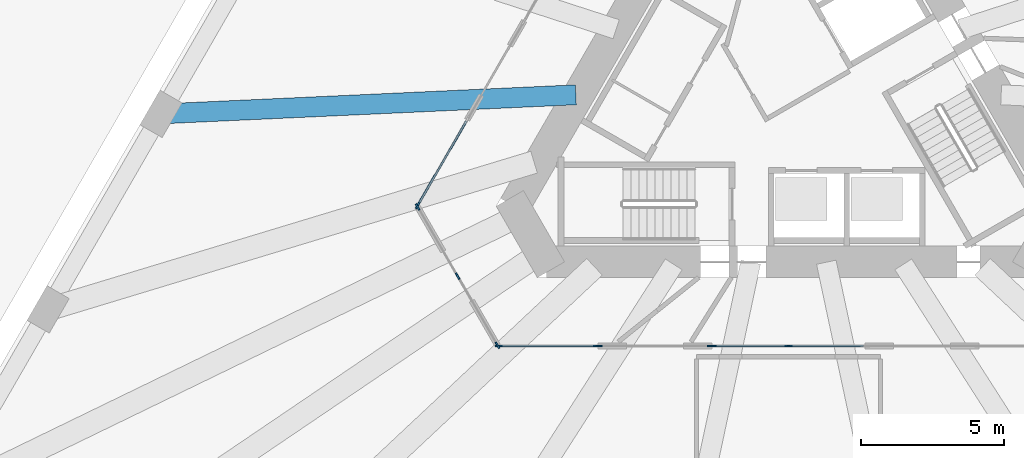
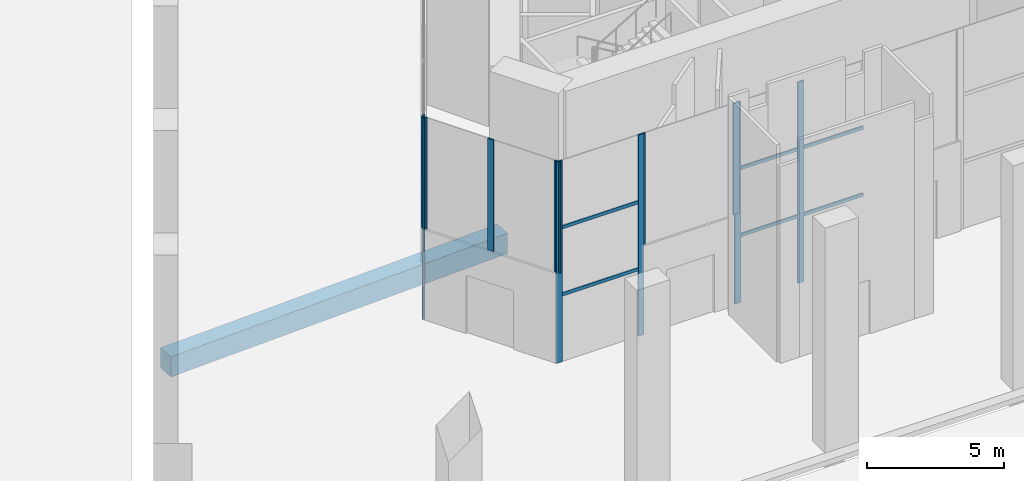
# One storey, part 2 of 13: 18 members, 1 beam, 5 elements without a shape of their own.
"""IFC4 building model written with IfcOpenShell, lengths in metres."""

from ifc_helpers import new_model, si_unit, direction, frame, origin, origin_2d, place, context, subcontext, project, spatial, rectangle, extrude, material, layer, layer_set, material_profile, profile_set, type_object, element, aggregate, save


model = new_model("IFC4")

# Units and contexts
model_context = context("Model", 3, precision=1e-05, world=origin(), true_north=direction((0.0, 1.0)))
body_context = subcontext(model_context, "Body", "Model", "MODEL_VIEW")
ifc_project = project(units=[si_unit("LENGTHUNIT", "METRE"), si_unit("AREAUNIT", "SQUARE_METRE"), si_unit("VOLUMEUNIT", "CUBIC_METRE"), si_unit("PLANEANGLEUNIT", "RADIAN"), si_unit("MASSUNIT", "GRAM", prefix="KILO")], contexts=[model_context])

# Site, building, storey
site_placement = place(None, origin())
site = spatial("IfcSite", under=ifc_project, at=site_placement, CompositionType="ELEMENT")
building_placement = place(site_placement, origin())
building = spatial("IfcBuilding", under=site, at=building_placement, Name="Tramontana Tower", CompositionType="ELEMENT")
storey_placement = place(building_placement, origin())
storey = spatial("IfcBuildingStorey", under=building, at=storey_placement, Name="L00", CompositionType="ELEMENT", Elevation=0.0)

# Curtain wall, members
ifc_material_1 = material(Name="Aluminum extrusion", Category="aluminium")
ifc_layer = layer(ifc_material_1, 0.14990234375)
ifc_layer_set = layer_set([ifc_layer], Name="CW1 Entrance pavilion curtain wall")
curtain_wall_type = type_object("IfcCurtainWallType", Name="CW1 Entrance pavilion curtain wall", PredefinedType="NOTDEFINED", material=ifc_layer_set)
curtain_wall_1_placement = place(storey_placement, origin())
curtain_wall_1 = element("IfcCurtainWall", 1, at=curtain_wall_1_placement, inside=storey, type_object=curtain_wall_type, Name="CW1 curtain wall L00 edge 2 run 2", PredefinedType="NOTDEFINED")
ifc_material_2 = material(Name="Aluminum extrusion", Category="aluminium")
ifc_material_profile_1 = material_profile(ifc_material_2, rectangle(XDim=0.06005859375, YDim=0.25, at=origin_2d()), Name="CW1-M Mullion 60 x 250")
ifc_profile_set_1 = profile_set([ifc_material_profile_1], Name="Aluminum extrusion")
member_type_1 = type_object("IfcMemberType", Name="CW1-M Mullion 60 x 250", PredefinedType="MULLION", material=ifc_profile_set_1)
member_1_placement = place(storey_placement, frame((0.0, -9.14990234375, 0.0), z_axis=(0.0, 0.0, 1.0), x_axis=(0.0, -1.0, 0.0)))
member_1 = element("IfcMember", 2, at=member_1_placement, type_object=member_type_1, Name="CW1 curtain wall L00 edge 2 run 2 mullion 2", PredefinedType="MULLION", context=body_context, shape_type="SweptSolid", body=[
    extrude(rectangle(XDim=0.06005859375, YDim=0.25, at=origin_2d()), origin(), (0.0, 0.0, 1.0), 8.949951171875),
])
member_2_placement = place(storey_placement, frame((-2.657470703125, -9.14990234375, 0.0), z_axis=(0.0, 0.0, 1.0), x_axis=(0.0, -1.0, 0.0)))
member_2 = element("IfcMember", 3, at=member_2_placement, type_object=member_type_1, Name="CW1 curtain wall L00 edge 2 run 2 mullion 3", PredefinedType="MULLION", context=body_context, shape_type="SweptSolid", body=[
    extrude(rectangle(XDim=0.06005859375, YDim=0.25, at=origin_2d()), origin(), (0.0, 0.0, 1.0), 8.949951171875),
])

curtain_wall_2_placement = place(storey_placement, origin())
curtain_wall_2 = element("IfcCurtainWall", 4, at=curtain_wall_2_placement, inside=storey, type_object=curtain_wall_type, Name="CW1 curtain wall L00 edge 2 run 3", PredefinedType="NOTDEFINED")
member_3_placement = place(storey_placement, frame((-6.717529296875, -9.14990234375, 0.0), z_axis=(0.0, 0.0, 1.0), x_axis=(0.0, -1.0, 0.0)))
member_3 = element("IfcMember", 5, at=member_3_placement, type_object=member_type_1, Name="CW1 curtain wall L00 edge 2 run 3 mullion 1", PredefinedType="MULLION", context=body_context, shape_type="SweptSolid", body=[
    extrude(rectangle(XDim=0.06005859375, YDim=0.25, at=origin_2d()), origin(), (0.0, 0.0, 1.0), 8.949951171875),
])
member_4_placement = place(storey_placement, frame((-10.16015625, -9.14990234375, 0.0), z_axis=(0.0, 0.0, 1.0), x_axis=(0.0, -1.0, 0.0)))
member_4 = element("IfcMember", 6, at=member_4_placement, type_object=member_type_1, Name="CW1 curtain wall L00 edge 2 run 3 mullion 2", PredefinedType="MULLION", context=body_context, shape_type="SweptSolid", body=[
    extrude(rectangle(XDim=0.06005859375, YDim=0.25, at=origin_2d()), origin(), (0.0, 0.0, 1.0), 8.949951171875),
])

curtain_wall_3_placement = place(storey_placement, origin())
curtain_wall_3 = element("IfcCurtainWall", 7, at=curtain_wall_3_placement, inside=storey, type_object=curtain_wall_type, Name="CW1 curtain wall L00 edge 2 over entrance 2", PredefinedType="NOTDEFINED")
member_5_placement = place(storey_placement, frame((-2.717529296875, -9.14990234375, 4.0), z_axis=(0.0, 0.0, 1.0), x_axis=(0.0, -1.0, 0.0)))
member_5 = element("IfcMember", 8, at=member_5_placement, type_object=member_type_1, Name="CW1 curtain wall L00 edge 2 over entrance 2 mullion 1", PredefinedType="MULLION", context=body_context, shape_type="SweptSolid", body=[
    extrude(rectangle(XDim=0.06005859375, YDim=0.25, at=origin_2d()), origin(), (0.0, 0.0, 1.0), 4.949951171875),
])
member_6_placement = place(storey_placement, frame((-6.657470703125, -9.14990234375, 4.0), z_axis=(0.0, 0.0, 1.0), x_axis=(0.0, -1.0, 0.0)))
member_6 = element("IfcMember", 9, at=member_6_placement, type_object=member_type_1, Name="CW1 curtain wall L00 edge 2 over entrance 2 mullion 2", PredefinedType="MULLION", context=body_context, shape_type="SweptSolid", body=[
    extrude(rectangle(XDim=0.06005859375, YDim=0.25, at=origin_2d()), origin(), (0.0, 0.0, 1.0), 4.949951171875),
])
aggregate(curtain_wall_3, [member_5, member_6])

curtain_wall_4_placement = place(storey_placement, origin())
curtain_wall_4 = element("IfcCurtainWall", 10, at=curtain_wall_4_placement, inside=storey, type_object=curtain_wall_type, Name="CW1 curtain wall L00 stair exit 2 over door", PredefinedType="NOTDEFINED")
member_7_placement = place(storey_placement, frame((-10.205322265625, -9.1240234375, 4.0), z_axis=(0.0, 0.0, 1.0), x_axis=(-0.866025403784, -0.5, 0.0)))
member_7 = element("IfcMember", 11, at=member_7_placement, type_object=member_type_1, Name="CW1 curtain wall L00 stair exit 2 over door mullion 1", PredefinedType="MULLION", context=body_context, shape_type="SweptSolid", body=[
    extrude(rectangle(XDim=0.06005859375, YDim=0.25, at=origin_2d()), origin(), (0.0, 0.0, 1.0), 4.949951171875),
])
member_8_placement = place(storey_placement, frame((-11.604736328125, -6.699951171875, 4.0), z_axis=(0.0, 0.0, 1.0), x_axis=(-0.866025403784, -0.5, 0.0)))
member_8 = element("IfcMember", 12, at=member_8_placement, type_object=member_type_1, Name="CW1 curtain wall L00 stair exit 2 over door mullion 2", PredefinedType="MULLION", context=body_context, shape_type="SweptSolid", body=[
    extrude(rectangle(XDim=0.06005859375, YDim=0.25, at=origin_2d()), origin(), (0.0, 0.0, 1.0), 4.949951171875),
])
member_9_placement = place(storey_placement, frame((-13.004150390625, -4.27587890625, 4.0), z_axis=(0.0, 0.0, 1.0), x_axis=(-0.866025403784, -0.5, 0.0)))
member_9 = element("IfcMember", 13, at=member_9_placement, type_object=member_type_1, Name="CW1 curtain wall L00 stair exit 2 over door mullion 3", PredefinedType="MULLION", context=body_context, shape_type="SweptSolid", body=[
    extrude(rectangle(XDim=0.06005859375, YDim=0.25, at=origin_2d()), origin(), (0.0, 0.0, 1.0), 4.949951171875),
])
aggregate(curtain_wall_4, [member_7, member_8, member_9])

# Curtain wall, member
curtain_wall_5_placement = place(storey_placement, origin())
curtain_wall_5 = element("IfcCurtainWall", 14, at=curtain_wall_5_placement, inside=storey, type_object=curtain_wall_type, Name="CW1 curtain wall L00 edge 3 run 1", PredefinedType="NOTDEFINED")
member_10_placement = place(storey_placement, frame((-13.004150390625, -4.22412109375, 0.0), z_axis=(0.0, 0.0, 1.0), x_axis=(-0.866025403784, 0.5, 0.0)))
member_10 = element("IfcMember", 15, at=member_10_placement, type_object=member_type_1, Name="CW1 curtain wall L00 edge 3 run 1 mullion 1", PredefinedType="MULLION", context=body_context, shape_type="SweptSolid", body=[
    extrude(rectangle(XDim=0.06005859375, YDim=0.25, at=origin_2d()), origin(), (0.0, 0.0, 1.0), 8.949951171875),
])

# Member
ifc_material_3 = material(Name="Aluminum extrusion", Category="aluminium")
ifc_material_profile_2 = material_profile(ifc_material_3, rectangle(XDim=0.06005859375, YDim=0.14990234375, at=origin_2d()), Name="CW1-T Transom 60 x 150")
ifc_profile_set_2 = profile_set([ifc_material_profile_2], Name="Aluminum extrusion")
member_type_2 = type_object("IfcMemberType", Name="CW1-T Transom 60 x 150", PredefinedType="USERDEFINED", material=ifc_profile_set_2)
member_11_placement = place(storey_placement, frame((2.62744140625, -9.14990234375, 2.98291015625), z_axis=(-1.0, 0.0, 0.0), x_axis=(0.0, -1.0, 0.0)))
member_11 = element("IfcMember", 16, at=member_11_placement, type_object=member_type_2, Name="CW1 curtain wall L00 edge 2 run 2 transom 1.1", ObjectType="TRANSOM", PredefinedType="USERDEFINED", context=body_context, shape_type="SweptSolid", body=[
    extrude(rectangle(XDim=0.06005859375, YDim=0.14990234375, at=origin_2d()), origin(), (0.0, 0.0, 1.0), 2.597412109375),
])

member_12_placement = place(storey_placement, frame((2.62744140625, -9.14990234375, 5.967041015625), z_axis=(-1.0, 0.0, 0.0), x_axis=(0.0, -1.0, 0.0)))
member_12 = element("IfcMember", 17, at=member_12_placement, type_object=member_type_2, Name="CW1 curtain wall L00 edge 2 run 2 transom 1.2", ObjectType="TRANSOM", PredefinedType="USERDEFINED", context=body_context, shape_type="SweptSolid", body=[
    extrude(rectangle(XDim=0.06005859375, YDim=0.14990234375, at=origin_2d()), origin(), (0.0, 0.0, 1.0), 2.597412109375),
])

member_13_placement = place(storey_placement, frame((-0.030029296875, -9.14990234375, 2.98291015625), z_axis=(-1.0, 0.0, 0.0), x_axis=(0.0, -1.0, 0.0)))
member_13 = element("IfcMember", 18, at=member_13_placement, type_object=member_type_2, Name="CW1 curtain wall L00 edge 2 run 2 transom 2.1", ObjectType="TRANSOM", PredefinedType="USERDEFINED", context=body_context, shape_type="SweptSolid", body=[
    extrude(rectangle(XDim=0.06005859375, YDim=0.14990234375, at=origin_2d()), origin(), (0.0, 0.0, 1.0), 2.597412109375),
])

member_14_placement = place(storey_placement, frame((-0.030029296875, -9.14990234375, 5.967041015625), z_axis=(-1.0, 0.0, 0.0), x_axis=(0.0, -1.0, 0.0)))
member_14 = element("IfcMember", 19, at=member_14_placement, type_object=member_type_2, Name="CW1 curtain wall L00 edge 2 run 2 transom 2.2", ObjectType="TRANSOM", PredefinedType="USERDEFINED", context=body_context, shape_type="SweptSolid", body=[
    extrude(rectangle(XDim=0.06005859375, YDim=0.14990234375, at=origin_2d()), origin(), (0.0, 0.0, 1.0), 2.597412109375),
])

aggregate(curtain_wall_1, [member_1, member_2, member_11, member_12, member_13, member_14])

member_15_placement = place(storey_placement, frame((-6.74755859375, -9.14990234375, 2.98291015625), z_axis=(-1.0, 0.0, 0.0), x_axis=(0.0, -1.0, 0.0)))
member_15 = element("IfcMember", 20, at=member_15_placement, type_object=member_type_2, Name="CW1 curtain wall L00 edge 2 run 3 transom 1.1", ObjectType="TRANSOM", PredefinedType="USERDEFINED", context=body_context, shape_type="SweptSolid", body=[
    extrude(rectangle(XDim=0.06005859375, YDim=0.14990234375, at=origin_2d()), origin(), (0.0, 0.0, 1.0), 3.382568359375),
])

member_16_placement = place(storey_placement, frame((-6.74755859375, -9.14990234375, 5.967041015625), z_axis=(-1.0, 0.0, 0.0), x_axis=(0.0, -1.0, 0.0)))
member_16 = element("IfcMember", 21, at=member_16_placement, type_object=member_type_2, Name="CW1 curtain wall L00 edge 2 run 3 transom 1.2", ObjectType="TRANSOM", PredefinedType="USERDEFINED", context=body_context, shape_type="SweptSolid", body=[
    extrude(rectangle(XDim=0.06005859375, YDim=0.14990234375, at=origin_2d()), origin(), (0.0, 0.0, 1.0), 3.382568359375),
])

aggregate(curtain_wall_2, [member_3, member_4, member_15, member_16])

member_17_placement = place(storey_placement, frame((-12.9892578125, -4.197998046875, 2.98291015625), z_axis=(0.500020251116, 0.866013711481, 0.0), x_axis=(-0.866013711481, 0.500020251116, 0.0)))
member_17 = element("IfcMember", 22, at=member_17_placement, type_object=member_type_2, Name="CW1 curtain wall L00 edge 3 run 1 transom 1.1", ObjectType="TRANSOM", PredefinedType="USERDEFINED", context=body_context, shape_type="SweptSolid", body=[
    extrude(rectangle(XDim=0.06005859375, YDim=0.14990234375, at=origin_2d()), origin(), (0.0, 0.0, 1.0), 3.382568359375),
])

member_18_placement = place(storey_placement, frame((-12.9892578125, -4.197998046875, 5.967041015625), z_axis=(0.500020251116, 0.866013711481, 0.0), x_axis=(-0.866013711481, 0.500020251116, 0.0)))
member_18 = element("IfcMember", 23, at=member_18_placement, type_object=member_type_2, Name="CW1 curtain wall L00 edge 3 run 1 transom 1.2", ObjectType="TRANSOM", PredefinedType="USERDEFINED", context=body_context, shape_type="SweptSolid", body=[
    extrude(rectangle(XDim=0.06005859375, YDim=0.14990234375, at=origin_2d()), origin(), (0.0, 0.0, 1.0), 3.382568359375),
])

aggregate(curtain_wall_5, [member_10, member_17, member_18])

# Beam
ifc_material_4 = material(Name="Concrete 40 MPa", Category="concrete")
ifc_material_profile_3 = material_profile(ifc_material_4, rectangle(XDim=0.699951171875, YDim=0.89990234375, at=origin_2d()), Name="RC GIRDER 700X900 40 MPa")
ifc_profile_set_3 = profile_set([ifc_material_profile_3], Name="Concrete 40 MPa")
beam_type = type_object("IfcBeamType", Name="RC GIRDER 700X900 40 MPa", PredefinedType="BEAM", material=ifc_profile_set_3)
beam_placement = place(storey_placement, frame((-22.003173828125, -1.0107421875, -0.800048828125), z_axis=(0.998946541736, 0.045889070085, 0.0), x_axis=(-0.045889070085, 0.998946541736, 0.0)))
element("IfcBeam", 24, at=beam_placement, inside=storey, type_object=beam_type, Name="Radial girder C0F05 L00", PredefinedType="BEAM", context=body_context, shape_type="SweptSolid", body=[
    extrude(rectangle(XDim=0.699951171875, YDim=0.89990234375, at=origin_2d()), origin(), (0.0, 0.0, 1.0), 14.5615234375),
])

save(model, "model.ifc")
